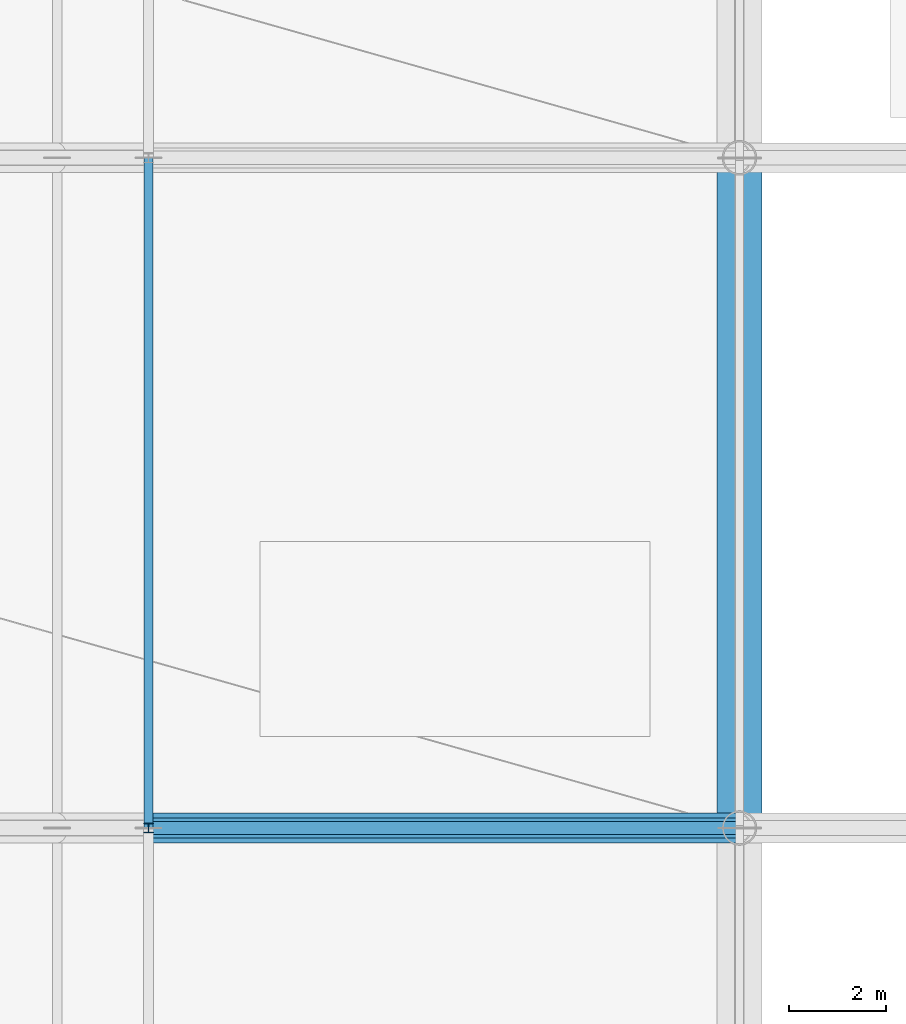
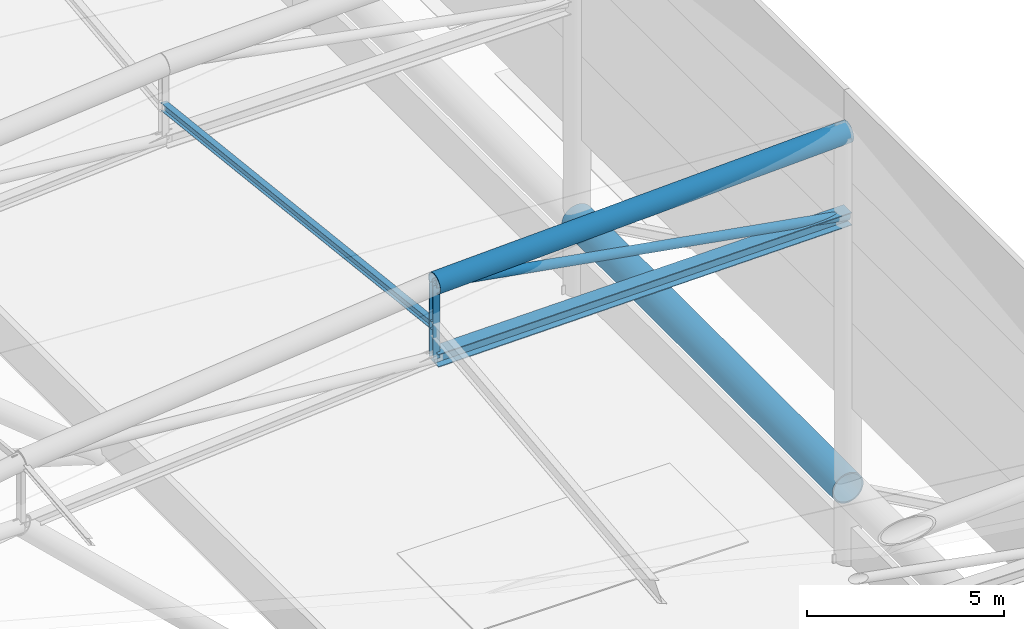
# One storey, part 45 of 113: 5 members, 1 beam.
"""IFC4 building model written with IfcOpenShell, lengths in metres."""

from ifc_helpers import new_model, si_unit, direction, frame, origin, origin_2d, place, context, subcontext, project, spatial, hollow_circle, i_section, extrude, material, material_profile, profile_set, type_object, element, save


model = new_model("IFC4")

# Units and contexts
model_context = context("Model", 3, precision=1e-05, world=origin(), true_north=direction((0.0, 1.0)))
body_context = subcontext(model_context, "Body", "Model", "MODEL_VIEW")
ifc_project = project(units=[si_unit("LENGTHUNIT", "METRE"), si_unit("AREAUNIT", "SQUARE_METRE"), si_unit("VOLUMEUNIT", "CUBIC_METRE"), si_unit("PLANEANGLEUNIT", "RADIAN"), si_unit("MASSUNIT", "GRAM", prefix="KILO")], contexts=[model_context])

# Site, building, storey
site_placement = place(None, origin())
site = spatial("IfcSite", under=ifc_project, at=site_placement, CompositionType="ELEMENT")
building_placement = place(site_placement, origin())
building = spatial("IfcBuilding", under=site, at=building_placement, Name="Linyun Crest Stadium", CompositionType="ELEMENT")
storey_placement = place(building_placement, frame((0.0, 0.0, 26.39990234375)))
storey = spatial("IfcBuildingStorey", under=building, at=storey_placement, Name="L06", CompositionType="ELEMENT", Elevation=26.39990234375)

# Beam
ifc_material_1 = material(Name="Steel Q420C", Category="steel")
ifc_material_profile_1 = material_profile(ifc_material_1, hollow_circle(Radius=0.45703125, WallThickness=0.0380859375, at=origin_2d()), Name="CHS 914x38")
ifc_profile_set_1 = profile_set([ifc_material_profile_1], Name="Steel Q420C")
beam_type = type_object("IfcBeamType", Name="HB02", PredefinedType="USERDEFINED", material=ifc_profile_set_1)
beam_placement = place(storey_placement, frame((84.0, 2.125, 2.18505859375), z_axis=(0.0, 1.0, 0.0), x_axis=(-1.0, 0.0, 0.0)))
element("IfcBeam", 1, at=beam_placement, inside=storey, type_object=beam_type, Name="Roof Outer compression ring beam HB02 V2 24", ObjectType="RING BEAM", PredefinedType="USERDEFINED", context=body_context, shape_type="SweptSolid", body=[
    extrude(hollow_circle(Radius=0.45703125, WallThickness=0.0380859375, at=origin_2d()), origin(), (0.0, 0.0, 1.0), 13.75),
])

# Members
ifc_material_2 = material(Name="Steel Q355B", Category="steel")
ifc_material_profile_2 = material_profile(ifc_material_2, i_section(OverallWidth=0.175048828125, OverallDepth=0.243896484375, WebThickness=0.007080078125, FlangeThickness=0.010986328125, at=origin_2d()), Name="HM 244x175")
ifc_profile_set_2 = profile_set([ifc_material_profile_2], Name="Steel Q355B")
member_type_1 = type_object("IfcMemberType", Name="PR05", PredefinedType="PURLIN", material=ifc_profile_set_2)
member_1_placement = place(storey_placement, frame((71.875, 2.125, 11.494140625), z_axis=(0.0, 0.993690086648, -0.112160651293), x_axis=(-1.0, 0.0, 0.0)))
element("IfcMember", 2, at=member_1_placement, inside=storey, type_object=member_type_1, Name="Roof canopy purlin PR05 V2 349", PredefinedType="PURLIN", context=body_context, shape_type="SweptSolid", body=[
    extrude(i_section(OverallWidth=0.175048828125, OverallDepth=0.243896484375, WebThickness=0.007080078125, FlangeThickness=0.010986328125, at=origin_2d()), origin(), (0.0, 0.0, 1.0), 13.83740234375),
])
ifc_material_3 = material(Name="Steel Q420C", Category="steel")
ifc_material_profile_3 = material_profile(ifc_material_3, hollow_circle(Radius=0.304931640625, WallThickness=0.030029296875, at=origin_2d()), Name="CHS 610x30")
ifc_profile_set_3 = profile_set([ifc_material_profile_3], Name="Steel Q420C")
member_type_2 = type_object("IfcMemberType", Name="TC02", PredefinedType="CHORD", material=ifc_profile_set_3)
member_2_placement = place(storey_placement, frame((84.0, 2.125, 13.25), z_axis=(-0.999237147613, 0.0, -0.039052821028), x_axis=(0.0, -1.0, 0.0)))
element("IfcMember", 3, at=member_2_placement, inside=storey, type_object=member_type_2, Name="Roof truss top chord TC02 V2 259", PredefinedType="CHORD", context=body_context, shape_type="SweptSolid", body=[
    extrude(hollow_circle(Radius=0.304931640625, WallThickness=0.030029296875, at=origin_2d()), origin(), (0.0, 0.0, 1.0), 12.13427734375),
])
ifc_material_4 = material(Name="Steel Q420C", Category="steel")
ifc_material_profile_4 = material_profile(ifc_material_4, i_section(OverallWidth=0.407958984375, OverallDepth=0.39990234375, WebThickness=0.02099609375, FlangeThickness=0.02099609375, at=origin_2d()), Name="HW 400x408")
ifc_profile_set_4 = profile_set([ifc_material_profile_4], Name="Steel Q420C")
member_type_3 = type_object("IfcMemberType", Name="TC04", PredefinedType="CHORD", material=ifc_profile_set_4)
member_3_placement = place(storey_placement, frame((84.0, 2.125, 10.650146484375), z_axis=(-0.999910635598, 0.0, -0.013368650573), x_axis=(0.0, -1.0, 0.0)))
element("IfcMember", 4, at=member_3_placement, inside=storey, type_object=member_type_3, Name="Roof truss bottom chord TC04 V2 260", PredefinedType="CHORD", context=body_context, shape_type="SweptSolid", body=[
    extrude(i_section(OverallWidth=0.407958984375, OverallDepth=0.39990234375, WebThickness=0.02099609375, FlangeThickness=0.02099609375, at=origin_2d()), origin(), (0.0, 0.0, 1.0), 12.1259765625),
])
ifc_material_5 = material(Name="Steel Q355C", Category="steel")
ifc_material_profile_5 = material_profile(ifc_material_5, hollow_circle(Radius=0.136474609375, WallThickness=0.013916015625, at=origin_2d()), Name="CHS 273x14")
ifc_profile_set_5 = profile_set([ifc_material_profile_5], Name="Steel Q355C")
member_type_4 = type_object("IfcMemberType", Name="TD01", PredefinedType="BRACE", material=ifc_profile_set_5)
member_4_placement = place(storey_placement, frame((84.0, 2.125, 10.650146484375), z_axis=(-0.98497383844, 0.0, 0.172703611975), x_axis=(0.0, -1.0, 0.0)))
element("IfcMember", 5, at=member_4_placement, inside=storey, type_object=member_type_4, Name="Roof truss diagonal TD01 V2 261", PredefinedType="BRACE", context=body_context, shape_type="SweptSolid", body=[
    extrude(hollow_circle(Radius=0.136474609375, WallThickness=0.013916015625, at=origin_2d()), origin(), (0.0, 0.0, 1.0), 12.31005859375),
])
ifc_material_6 = material(Name="Steel Q355C", Category="steel")
ifc_material_profile_6 = material_profile(ifc_material_6, i_section(OverallWidth=0.199951171875, OverallDepth=0.199951171875, WebThickness=0.008056640625, FlangeThickness=0.011962890625, at=origin_2d()), Name="HW 200x200")
ifc_profile_set_6 = profile_set([ifc_material_profile_6], Name="Steel Q355C")
member_type_5 = type_object("IfcMemberType", Name="TV02", PredefinedType="STRUT", material=ifc_profile_set_6)
member_5_placement = place(storey_placement, frame((71.875, 2.125, 10.488037109375), z_axis=(0.0, 0.0, 1.0), x_axis=(1.0, 0.0, 0.0)))
element("IfcMember", 6, at=member_5_placement, inside=storey, type_object=member_type_5, Name="Roof vertical strut TV02 V2 265", PredefinedType="STRUT", context=body_context, shape_type="SweptSolid", body=[
    extrude(i_section(OverallWidth=0.199951171875, OverallDepth=0.199951171875, WebThickness=0.008056640625, FlangeThickness=0.011962890625, at=origin_2d()), origin(), (0.0, 0.0, 1.0), 2.2880859375),
])

save(model, "model.ifc")
